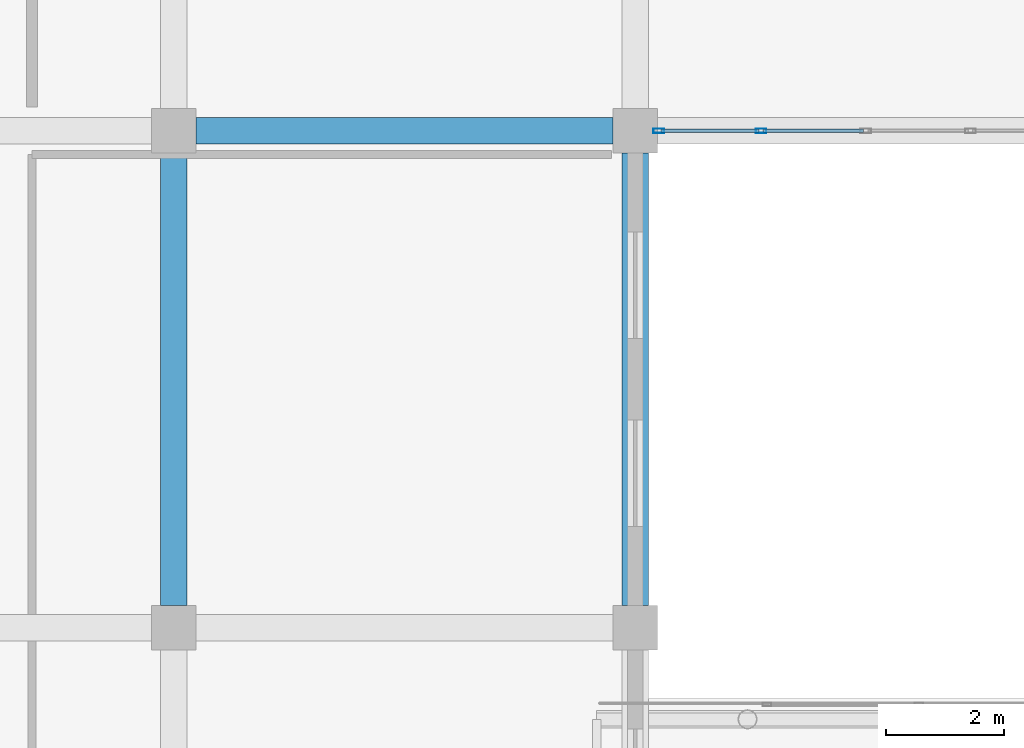
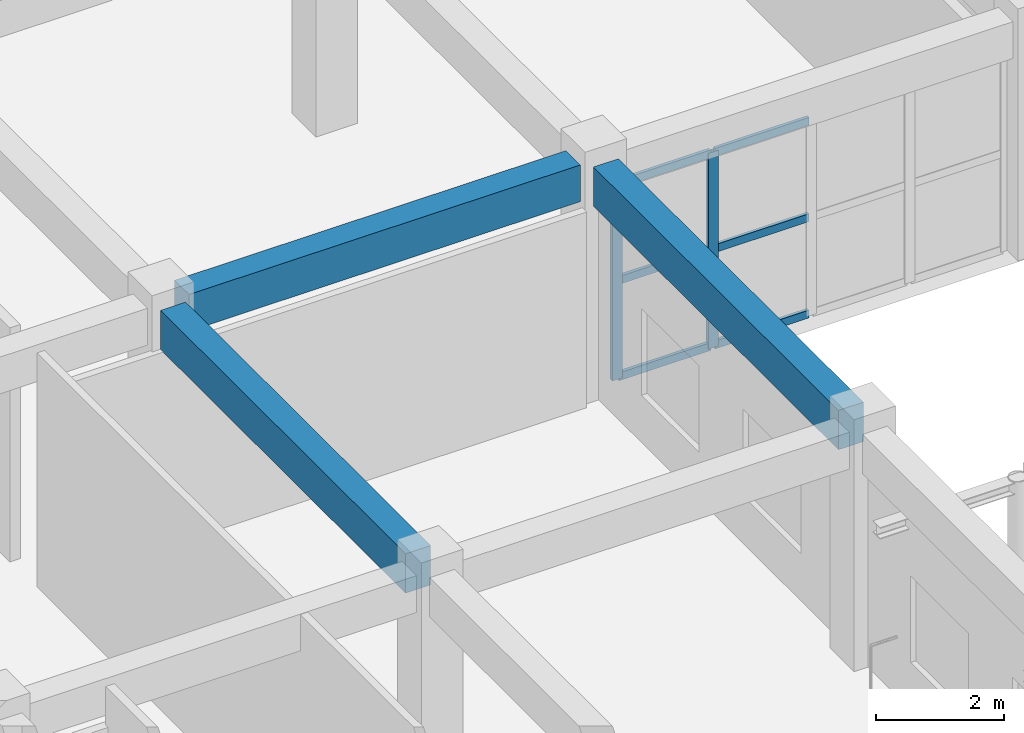
# One storey, part 63 of 167: 8 members, 3 beams, 1 element without a shape of its own.
"""IFC4 building model written with IfcOpenShell, lengths in metres."""

from ifc_helpers import new_model, si_unit, direction, frame, origin, origin_2d, place, context, subcontext, project, spatial, rectangle, hollow_rectangle, extrude, material, layer, layer_set, material_profile, profile_set, type_object, element, aggregate, save


model = new_model("IFC4")

# Units and contexts
model_context = context("Model", 3, precision=1e-05, world=origin(), true_north=direction((0.0, 1.0)))
body_context = subcontext(model_context, "Body", "Model", "MODEL_VIEW")
ifc_project = project(units=[si_unit("LENGTHUNIT", "METRE"), si_unit("AREAUNIT", "SQUARE_METRE"), si_unit("VOLUMEUNIT", "CUBIC_METRE"), si_unit("PLANEANGLEUNIT", "RADIAN"), si_unit("MASSUNIT", "GRAM", prefix="KILO")], contexts=[model_context])

# Site, building, storey
site_placement = place(None, origin())
site = spatial("IfcSite", under=ifc_project, at=site_placement, CompositionType="ELEMENT")
building_placement = place(site_placement, origin())
building = spatial("IfcBuilding", under=site, at=building_placement, Name="Zizhar Promenade General Hospital", CompositionType="ELEMENT")
storey_placement = place(building_placement, frame((0.0, 0.0, 9.60009765625)))
storey = spatial("IfcBuildingStorey", under=building, at=storey_placement, Name="L02", CompositionType="ELEMENT", Elevation=9.60009765625)

# Beams
ifc_material_1 = material(Name="Concrete C35/45", Category="concrete")
ifc_material_profile_1 = material_profile(ifc_material_1, rectangle(XDim=0.449951171875, YDim=0.699951171875, at=origin_2d()))
ifc_profile_set_1 = profile_set([ifc_material_profile_1], Name="Concrete C35/45")
beam_type_1 = type_object("IfcBeamType", Name="BM-RC-450x700", PredefinedType="BEAM", material=ifc_profile_set_1)
beam_placement = place(storey_placement, frame((62.77490234375, 92.39990234375, 4.119873046875), z_axis=(1.0, 0.0, 0.0), x_axis=(0.0, 1.0, 0.0)))
element("IfcBeam", 1, at=beam_placement, inside=storey, type_object=beam_type_1, Name="Grid Beam X L02 (8-11)", PredefinedType="BEAM", context=body_context, shape_type="SweptSolid", body=[
    extrude(rectangle(XDim=0.449951171875, YDim=0.699951171875, at=origin_2d()), origin(), (0.0, 0.0, 1.0), 7.050048828125),
])
ifc_material_2 = material(Name="Concrete C35/45", Category="concrete")
ifc_material_profile_2 = material_profile(ifc_material_2, rectangle(XDim=0.449951171875, YDim=0.75, at=origin_2d()))
ifc_profile_set_2 = profile_set([ifc_material_profile_2], Name="Concrete C35/45")
beam_type_2 = type_object("IfcBeamType", Name="BM-RC-450x750", PredefinedType="BEAM", material=ifc_profile_set_2)
for number, where, z_axis, x_axis, name in (
    (2, (62.39990234375, 84.375, 4.094970703125), (0.0, 1.0, 0.0), (-1.0, 0.0, 0.0), "Grid Beam Y L02 (8-10)"),
    (3, (70.199951171875, 84.375, 4.094970703125), (0.0, 1.0, 0.0), (-1.0, 0.0, 0.0), "Grid Beam Y L02 (9-10)"),
):
    element("IfcBeam", number, at=place(storey_placement, frame(where, z_axis=z_axis, x_axis=x_axis)), inside=storey, type_object=beam_type_2, Name=name, PredefinedType="BEAM", context=body_context, shape_type="SweptSolid", body=[
        extrude(rectangle(XDim=0.449951171875, YDim=0.75, at=origin_2d()), origin(), (0.0, 0.0, 1.0), 7.64990234375),
    ])

# Curtain wall, members
ifc_material_3 = material(Name="Anodised aluminium 6063-T6 and low-E glass", Category="aluminium")
ifc_layer = layer(ifc_material_3, 0.159912109375)
ifc_layer_set = layer_set([ifc_layer], Name="Anodised aluminium 6063-T6 and low-E glass")
curtain_wall_type = type_object("IfcCurtainWallType", Name="CW-DT-MOD1", PredefinedType="NOTDEFINED", material=ifc_layer_set)
curtain_wall_placement = place(storey_placement, origin())
curtain_wall = element("IfcCurtainWall", 4, at=curtain_wall_placement, inside=storey, type_object=curtain_wall_type, Name="Garden Court North Surgical Glazing L02-9", PredefinedType="NOTDEFINED")
ifc_material_4 = material(Name="Anodised aluminium 6063-T6", Category="aluminium")
ifc_material_profile_3 = material_profile(ifc_material_4, hollow_rectangle(XDim=0.080078125, YDim=0.179931640625, WallThickness=0.0048828125, at=origin_2d()))
ifc_profile_set_3 = profile_set([ifc_material_profile_3], Name="Anodised aluminium 6063-T6")
member_type_1 = type_object("IfcMemberType", Name="CWM-ALU-180x80", PredefinedType="MULLION", material=ifc_profile_set_3)
member_1_placement = place(storey_placement, frame((72.330078125, 92.39990234375, 0.0), z_axis=(0.0, 0.0, 1.0), x_axis=(0.0, -1.0, 0.0)))
member_1 = element("IfcMember", 5, at=member_1_placement, type_object=member_type_1, Name="CW-07 mullion 4", PredefinedType="MULLION", context=body_context, shape_type="SweptSolid", body=[
    extrude(hollow_rectangle(XDim=0.080078125, YDim=0.179931640625, WallThickness=0.0048828125, at=origin_2d()), origin(), (0.0, 0.0, 1.0), 3.72998046875),
])
member_2_placement = place(storey_placement, frame((70.60009765625, 92.39990234375, 0.0), z_axis=(0.0, 0.0, 1.0), x_axis=(0.0, -1.0, 0.0)))
member_2 = element("IfcMember", 6, at=member_2_placement, type_object=member_type_1, Name="CW-07 mullion 5", PredefinedType="MULLION", context=body_context, shape_type="SweptSolid", body=[
    extrude(hollow_rectangle(XDim=0.080078125, YDim=0.179931640625, WallThickness=0.0048828125, at=origin_2d()), origin(), (0.0, 0.0, 1.0), 3.72998046875),
])
ifc_material_5 = material(Name="Anodised aluminium 6063-T6", Category="aluminium")
ifc_material_profile_4 = material_profile(ifc_material_5, hollow_rectangle(XDim=0.06005859375, YDim=0.14990234375, WallThickness=0.00390625, at=origin_2d()))
ifc_profile_set_4 = profile_set([ifc_material_profile_4], Name="Anodised aluminium 6063-T6")
member_type_2 = type_object("IfcMemberType", Name="CWT-ALU-150x60", PredefinedType="USERDEFINED", material=ifc_profile_set_4)
member_3_placement = place(storey_placement, frame((74.06005859375, 92.39990234375, 0.02978515625), z_axis=(-1.0, 0.0, 0.0), x_axis=(0.0, -1.0, 0.0)))
member_3 = element("IfcMember", 7, at=member_3_placement, type_object=member_type_2, Name="CW-07 transom 3.1", ObjectType="TRANSOM", PredefinedType="USERDEFINED", context=body_context, shape_type="SweptSolid", body=[
    extrude(hollow_rectangle(XDim=0.06005859375, YDim=0.14990234375, WallThickness=0.00390625, at=origin_2d()), origin(), (0.0, 0.0, 1.0), 1.68994140625),
])
member_4_placement = place(storey_placement, frame((74.06005859375, 92.39990234375, 1.864990234375), z_axis=(-1.0, 0.0, 0.0), x_axis=(0.0, -1.0, 0.0)))
member_4 = element("IfcMember", 8, at=member_4_placement, type_object=member_type_2, Name="CW-07 transom 3.2", ObjectType="TRANSOM", PredefinedType="USERDEFINED", context=body_context, shape_type="SweptSolid", body=[
    extrude(hollow_rectangle(XDim=0.06005859375, YDim=0.14990234375, WallThickness=0.00390625, at=origin_2d()), origin(), (0.0, 0.0, 1.0), 1.68994140625),
])
member_5_placement = place(storey_placement, frame((74.06005859375, 92.39990234375, 3.699951171875), z_axis=(-1.0, 0.0, 0.0), x_axis=(0.0, -1.0, 0.0)))
member_5 = element("IfcMember", 9, at=member_5_placement, type_object=member_type_2, Name="CW-07 transom 3.3", ObjectType="TRANSOM", PredefinedType="USERDEFINED", context=body_context, shape_type="SweptSolid", body=[
    extrude(hollow_rectangle(XDim=0.06005859375, YDim=0.14990234375, WallThickness=0.00390625, at=origin_2d()), origin(), (0.0, 0.0, 1.0), 1.68994140625),
])
member_6_placement = place(storey_placement, frame((72.2900390625, 92.39990234375, 0.02978515625), z_axis=(-1.0, 0.0, 0.0), x_axis=(0.0, -1.0, 0.0)))
member_6 = element("IfcMember", 10, at=member_6_placement, type_object=member_type_2, Name="CW-07 transom 4.1", ObjectType="TRANSOM", PredefinedType="USERDEFINED", context=body_context, shape_type="SweptSolid", body=[
    extrude(hollow_rectangle(XDim=0.06005859375, YDim=0.14990234375, WallThickness=0.00390625, at=origin_2d()), origin(), (0.0, 0.0, 1.0), 1.650146484375),
])
member_7_placement = place(storey_placement, frame((72.2900390625, 92.39990234375, 1.864990234375), z_axis=(-1.0, 0.0, 0.0), x_axis=(0.0, -1.0, 0.0)))
member_7 = element("IfcMember", 11, at=member_7_placement, type_object=member_type_2, Name="CW-07 transom 4.2", ObjectType="TRANSOM", PredefinedType="USERDEFINED", context=body_context, shape_type="SweptSolid", body=[
    extrude(hollow_rectangle(XDim=0.06005859375, YDim=0.14990234375, WallThickness=0.00390625, at=origin_2d()), origin(), (0.0, 0.0, 1.0), 1.650146484375),
])
member_8_placement = place(storey_placement, frame((72.2900390625, 92.39990234375, 3.699951171875), z_axis=(-1.0, 0.0, 0.0), x_axis=(0.0, -1.0, 0.0)))
member_8 = element("IfcMember", 12, at=member_8_placement, type_object=member_type_2, Name="CW-07 transom 4.3", ObjectType="TRANSOM", PredefinedType="USERDEFINED", context=body_context, shape_type="SweptSolid", body=[
    extrude(hollow_rectangle(XDim=0.06005859375, YDim=0.14990234375, WallThickness=0.00390625, at=origin_2d()), origin(), (0.0, 0.0, 1.0), 1.650146484375),
])
aggregate(curtain_wall, [member_1, member_2, member_3, member_4, member_5, member_6, member_7, member_8])

save(model, "model.ifc")
